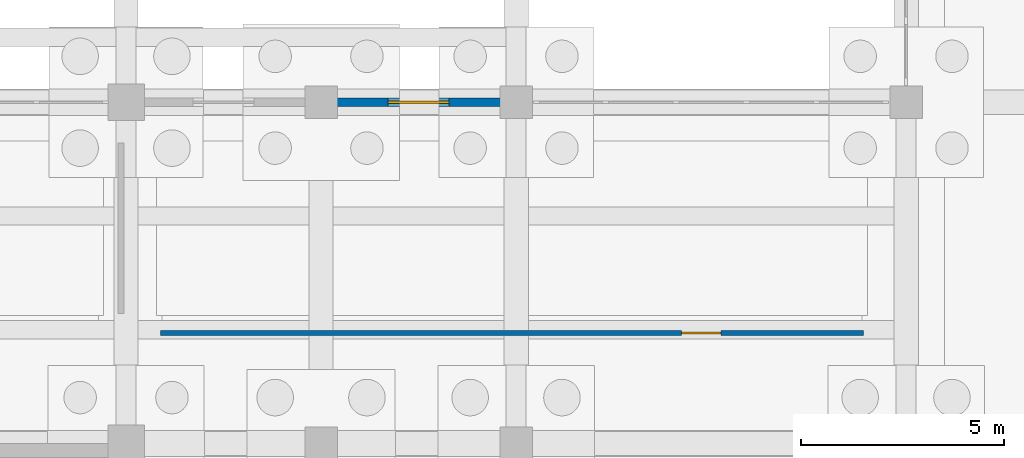
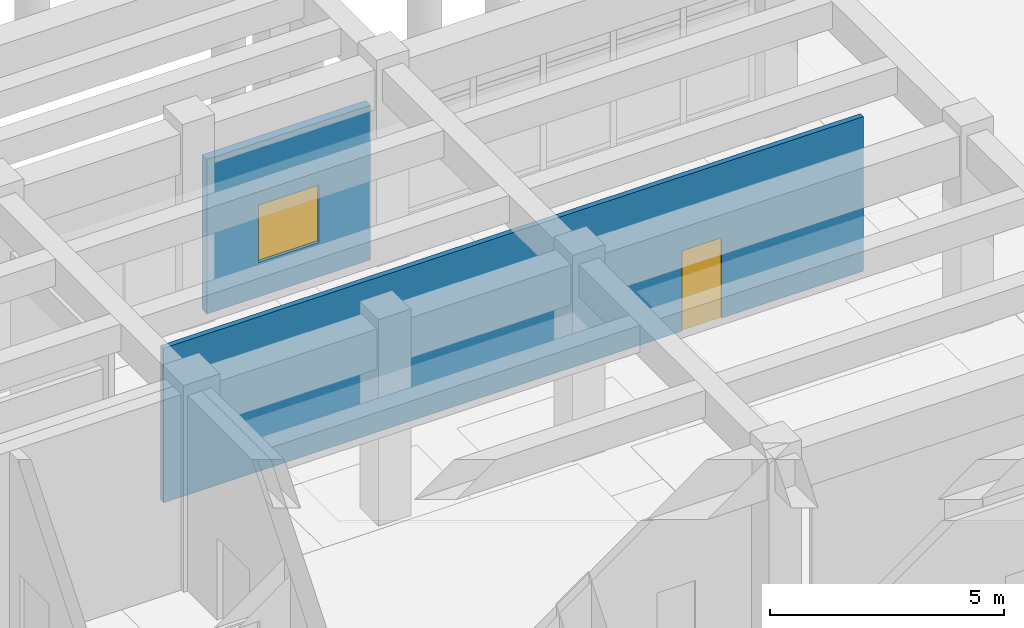
# One storey, part 79 of 102: 2 walls, 1 door, 1 window, 2 openings.
"""IFC4 building model written with IfcOpenShell, lengths in metres."""

from ifc_helpers import new_model, si_unit, direction, frame, frame_2d, origin, place, context, subcontext, project, spatial, rectangle, extrude, material, layer, layer_set, type_object, element, fill, save


model = new_model("IFC4")

# Units and contexts
model_context = context("Model", 3, precision=1e-05, world=origin(), true_north=direction((0.0, 1.0)))
body_context = subcontext(model_context, "Body", "Model", "MODEL_VIEW")
ifc_project = project(units=[si_unit("LENGTHUNIT", "METRE"), si_unit("AREAUNIT", "SQUARE_METRE"), si_unit("VOLUMEUNIT", "CUBIC_METRE"), si_unit("PLANEANGLEUNIT", "RADIAN"), si_unit("MASSUNIT", "GRAM", prefix="KILO")], contexts=[model_context])

# Site, building, storey
site_placement = place(None, origin())
site = spatial("IfcSite", under=ifc_project, at=site_placement, CompositionType="ELEMENT")
building_placement = place(site_placement, origin())
building = spatial("IfcBuilding", under=site, at=building_placement, Name="Kolvemor Railside Polytechnic", CompositionType="ELEMENT")
storey_placement = place(building_placement, origin())
storey = spatial("IfcBuildingStorey", under=building, at=storey_placement, Name="L00", CompositionType="ELEMENT", Elevation=0.0)

# Wall, opening, window
ifc_material_1 = material(Name="Cross-laminated timber CLT E1", Category="wood")
ifc_layer_1 = layer(ifc_material_1, 0.2099609375, Name="WL-EXT-TM-210")
ifc_layer_set_1 = layer_set([ifc_layer_1], Name="Cross-laminated timber CLT E1")
wall_type_1 = type_object("IfcWallType", Name="WL-EXT-TM-210", PredefinedType="SOLIDWALL", material=ifc_layer_set_1)
wall_1_placement = place(storey_placement, frame((124.419921875, 38.39990234375, 0.0), z_axis=(0.0, 0.0, 1.0), x_axis=(-1.0, 0.0, 0.0)))
wall_1 = element("IfcWall", 1, at=wall_1_placement, inside=storey, type_object=wall_type_1, Name="Exterior Wall L00-0147", PredefinedType="SOLIDWALL", context=body_context, shape_type="SweptSolid", body=[
    extrude(rectangle(XDim=4.0400390625, YDim=0.2099609375, at=frame_2d((2.02001953125, 0.0))), origin(), (0.0, 0.0, 1.0), 4.0400390625),
])
opening_1_placement = place(wall_1_placement, frame((1.27001953125, 0.0, 0.89990234375)))
opening_1 = element("IfcOpeningElement", 2, at=opening_1_placement, cuts=wall_1, Name="Opening WN-LAB4", PredefinedType="OPENING", context=body_context, shape_type="SweptSolid", body=[
    extrude(rectangle(XDim=1.5, YDim=1.5, at=frame_2d((0.75, 0.75))), frame((0.0, 0.114990234375, 0.0), z_axis=(0.0, -1.0, 0.0), x_axis=(1.0, 0.0, 0.0)), (0.0, 0.0, 1.0), 0.22998046875),
])
ifc_material_2 = material(Name="Hurricane-laminated thermally broken aluminium window", Category="aluminium")
window_type = type_object("IfcWindowType", Name="WN-LAB-150x150", PartitioningType="SINGLE_PANEL", PredefinedType="WINDOW", material=ifc_material_2)
window_placement = place(opening_1_placement, origin())
window = element("IfcWindow", 3, at=window_placement, inside=storey, type_object=window_type, Name="Window L00-0160", OverallHeight=1.5, OverallWidth=1.5, PartitioningType="SINGLE_PANEL", PredefinedType="WINDOW", context=body_context, shape_type="SweptSolid", body=[
    extrude(rectangle(XDim=1.5, YDim=1.5, at=frame_2d((0.75, 0.75))), frame((0.0, 0.030029296875, 0.0), z_axis=(0.0, -1.0, 0.0), x_axis=(1.0, 0.0, 0.0)), (0.0, 0.0, 1.0), 0.06005859375),
])
fill(opening_1, window)

# Wall, opening, door
ifc_material_3 = material(Name="Departmental partition")
ifc_layer_2 = layer(ifc_material_3, 0.1298828125, Name="WL-PART-130")
ifc_layer_set_2 = layer_set([ifc_layer_2], Name="Departmental partition")
wall_type_2 = type_object("IfcWallType", Name="WL-PART-130", PredefinedType="PARTITIONING", material=ifc_layer_set_2)
wall_2_placement = place(storey_placement, frame((116.050048828125, 32.719970703125, 0.0), z_axis=(0.0, 0.0, 1.0), x_axis=(1.0, 0.0, 0.0)))
wall_2 = element("IfcWall", 4, at=wall_2_placement, inside=storey, type_object=wall_type_2, Name="Partition Wall L00-0060", PredefinedType="PARTITIONING", context=body_context, shape_type="SweptSolid", body=[
    extrude(rectangle(XDim=17.300048828125, YDim=0.1298828125, at=frame_2d((8.64990234375, 0.0))), origin(), (0.0, 0.0, 1.0), 4.0400390625),
])
opening_2_placement = place(wall_2_placement, frame((12.81591796875, 0.0, 0.0)))
opening_2 = element("IfcOpeningElement", 5, at=opening_2_placement, cuts=wall_2, Name="Opening D-00035", PredefinedType="OPENING", context=body_context, shape_type="SweptSolid", body=[
    extrude(rectangle(XDim=0.97998046875, YDim=2.10009765625, at=frame_2d((0.489990234375, 1.050048828125))), frame((0.0, 0.074951171875, 0.0), z_axis=(0.0, -1.0, 0.0), x_axis=(1.0, 0.0, 0.0)), (0.0, 0.0, 1.0), 0.14990234375),
])
ifc_material_4 = material(Name="Solid hardwood acoustic door", Category="wood")
door_type = type_object("IfcDoorType", Name="DR-ADM-098x210", OperationType="NOTDEFINED", PredefinedType="DOOR", material=ifc_material_4)
door_placement = place(opening_2_placement, origin())
door = element("IfcDoor", 6, at=door_placement, inside=storey, type_object=door_type, Name="Room Door D-00035 (Campus Security and First Aid Suite)", OperationType="SINGLE_SWING_RIGHT", OverallHeight=2.10009765625, OverallWidth=0.97998046875, PredefinedType="DOOR", context=body_context, shape_type="SweptSolid", body=[
    extrude(rectangle(XDim=0.97998046875, YDim=2.10009765625, at=frame_2d((0.489990234375, 1.050048828125))), frame((0.0, 0.02490234375, 0.0), z_axis=(0.0, -1.0, 0.0), x_axis=(1.0, 0.0, 0.0)), (0.0, 0.0, 1.0), 0.050048828125),
])
fill(opening_2, door)

save(model, "model.ifc")
